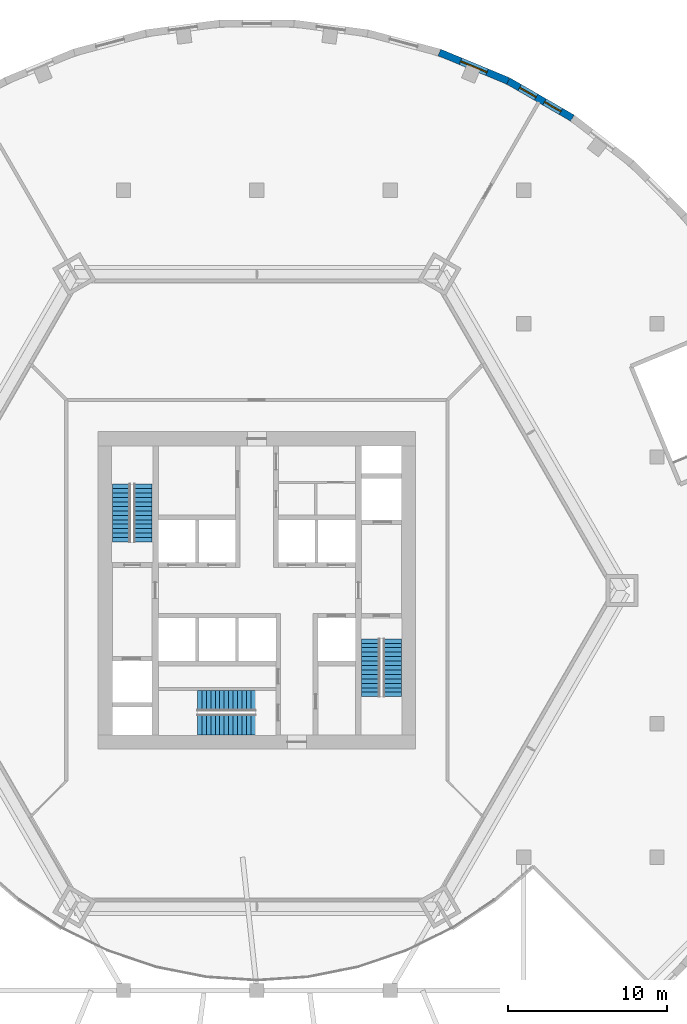
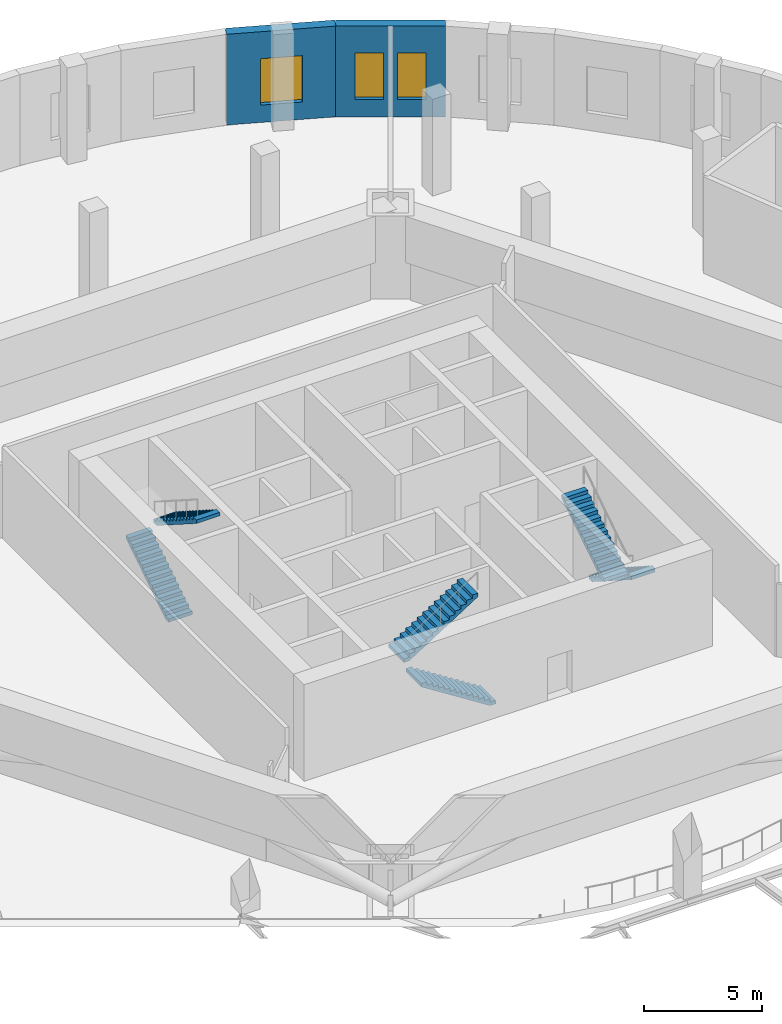
# One storey, part 9 of 10: 6 stair flights, 3 windows, 2 walls, 3 openings, 3 elements without a shape of their own.
"""IFC4 building model written with IfcOpenShell, lengths in metres."""

from ifc_helpers import new_model, si_unit, direction, frame, frame_2d, origin, place, context, subcontext, project, spatial, polyline, rectangle, outline, extrude, material, layer, layer_set, type_object, element, fill, aggregate, save


model = new_model("IFC4")

# Units and contexts
model_context = context("Model", 3, precision=1e-05, world=origin(), true_north=direction((0.0, 1.0)))
body_context = subcontext(model_context, "Body", "Model", "MODEL_VIEW")
ifc_project = project(units=[si_unit("LENGTHUNIT", "METRE"), si_unit("AREAUNIT", "SQUARE_METRE"), si_unit("VOLUMEUNIT", "CUBIC_METRE"), si_unit("PLANEANGLEUNIT", "RADIAN"), si_unit("MASSUNIT", "GRAM", prefix="KILO")], contexts=[model_context])

# Site, building, storey
site_placement = place(None, origin())
site = spatial("IfcSite", under=ifc_project, at=site_placement, CompositionType="ELEMENT")
building_placement = place(site_placement, origin())
building = spatial("IfcBuilding", under=site, at=building_placement, Name="Golbaran Civic Tower", CompositionType="ELEMENT")
storey_placement = place(building_placement, frame((0.0, 0.0, 16.0)))
storey = spatial("IfcBuildingStorey", under=building, at=storey_placement, Name="L03", CompositionType="ELEMENT", Elevation=16.0)

# Wall, openings, windows
ifc_material_1 = material(Name="Terracotta brick", Category="masonry")
ifc_layer = layer(ifc_material_1, 0.449951171875, Name="Terracotta brick")
ifc_layer_set = layer_set([ifc_layer], Name="Terracotta brick")
wall_type = type_object("IfcWallType", Name="TERRACOTTA BRICK FACADE WALL 450", PredefinedType="SOLIDWALL", material=ifc_layer_set)
wall_1_placement = place(storey_placement, frame((19.87548828125, 29.745849609375, 0.0), z_axis=(0.0, 0.0, 1.0), x_axis=(-0.866012687223, 0.500022025083, 0.0)))
wall_1 = element("IfcWall", 1, at=wall_1_placement, inside=storey, type_object=wall_type, Name="Podium wall L03 facet 8", PredefinedType="SOLIDWALL", context=body_context, shape_type="SweptSolid", body=[
    extrude(rectangle(XDim=4.679443359375, YDim=0.449951171875, at=frame_2d((2.33984375, 0.0))), origin(), (0.0, 0.0, 1.0), 4.699951171875),
])
opening_1_placement = place(wall_1_placement, frame((0.840087890625, 0.0, 0.89990234375)))
opening_1 = element("IfcOpeningElement", 2, at=opening_1_placement, cuts=wall_1, Name="Opening L03.W08", PredefinedType="OPENING", context=body_context, shape_type="SweptSolid", body=[
    extrude(rectangle(XDim=1.199951171875, YDim=2.39990234375, at=frame_2d((0.60009765625, 1.199951171875))), frame((0.0, 0.23486328125, 0.0), z_axis=(0.0, -1.0, 0.0), x_axis=(1.0, 0.0, 0.0)), (0.0, 0.0, 1.0), 0.469970703125),
])
opening_2_placement = place(wall_1_placement, frame((2.639892578125, 0.0, 0.89990234375)))
opening_2 = element("IfcOpeningElement", 3, at=opening_2_placement, cuts=wall_1, Name="Opening L03.W09", PredefinedType="OPENING", context=body_context, shape_type="SweptSolid", body=[
    extrude(rectangle(XDim=1.199951171875, YDim=2.39990234375, at=frame_2d((0.60009765625, 1.199951171875))), frame((0.0, 0.23486328125, 0.0), z_axis=(0.0, -1.0, 0.0), x_axis=(1.0, 0.0, 0.0)), (0.0, 0.0, 1.0), 0.469970703125),
])
ifc_material_2 = material(Name="Aluminium frame, clear glass", Category="aluminium")
window_type_1 = type_object("IfcWindowType", Name="PODIUM PAIRED WINDOW 1200x2400", PartitioningType="SINGLE_PANEL", PredefinedType="WINDOW", material=ifc_material_2)
window_1_placement = place(opening_1_placement, origin())
window_1 = element("IfcWindow", 4, at=window_1_placement, inside=storey, type_object=window_type_1, Name="Podium window L03 facet 8a", OverallHeight=2.39990234375, OverallWidth=1.199951171875, PartitioningType="SINGLE_PANEL", PredefinedType="WINDOW", context=body_context, shape_type="SweptSolid", body=[
    extrude(rectangle(XDim=1.199951171875, YDim=2.39990234375, at=frame_2d((0.60009765625, 1.199951171875))), frame((0.0, 0.030029296875, 0.0), z_axis=(0.0, -1.0, 0.0), x_axis=(1.0, 0.0, 0.0)), (0.0, 0.0, 1.0), 0.06005859375),
])
fill(opening_1, window_1)
window_2_placement = place(opening_2_placement, origin())
window_2 = element("IfcWindow", 5, at=window_2_placement, inside=storey, type_object=window_type_1, Name="Podium window L03 facet 8b", OverallHeight=2.39990234375, OverallWidth=1.199951171875, PartitioningType="SINGLE_PANEL", PredefinedType="WINDOW", context=body_context, shape_type="SweptSolid", body=[
    extrude(rectangle(XDim=1.199951171875, YDim=2.39990234375, at=frame_2d((0.60009765625, 1.199951171875))), frame((0.0, 0.030029296875, 0.0), z_axis=(0.0, -1.0, 0.0), x_axis=(1.0, 0.0, 0.0)), (0.0, 0.0, 1.0), 0.06005859375),
])
fill(opening_2, window_2)

# Wall, opening, window
wall_2_placement = place(storey_placement, frame((15.822998046875, 32.085693359375, 0.0), z_axis=(0.0, 0.0, 1.0), x_axis=(-0.923885213032, 0.382669718086, 0.0)))
wall_2 = element("IfcWall", 6, at=wall_2_placement, inside=storey, type_object=wall_type, Name="Podium wall L03 facet 9", PredefinedType="SOLIDWALL", context=body_context, shape_type="SweptSolid", body=[
    extrude(rectangle(XDim=4.6796875, YDim=0.449951171875, at=frame_2d((2.33984375, 0.0))), origin(), (0.0, 0.0, 1.0), 4.699951171875),
])
opening_3_placement = place(wall_2_placement, frame((1.439697265625, 0.0, 0.89990234375)))
opening_3 = element("IfcOpeningElement", 7, at=opening_3_placement, cuts=wall_2, Name="Opening L03.W10", PredefinedType="OPENING", context=body_context, shape_type="SweptSolid", body=[
    extrude(rectangle(XDim=1.800048828125, YDim=2.39990234375, at=frame_2d((0.89990234375, 1.199951171875))), frame((0.0, 0.23486328125, 0.0), z_axis=(0.0, -1.0, 0.0), x_axis=(1.0, 0.0, 0.0)), (0.0, 0.0, 1.0), 0.469970703125),
])
window_type_2 = type_object("IfcWindowType", Name="PODIUM WINDOW 1800x2400", PartitioningType="SINGLE_PANEL", PredefinedType="WINDOW", material=ifc_material_2)
window_3_placement = place(opening_3_placement, origin())
window_3 = element("IfcWindow", 8, at=window_3_placement, inside=storey, type_object=window_type_2, Name="Podium window L03 facet 9", OverallHeight=2.39990234375, OverallWidth=1.800048828125, PartitioningType="SINGLE_PANEL", PredefinedType="WINDOW", context=body_context, shape_type="SweptSolid", body=[
    extrude(rectangle(XDim=1.800048828125, YDim=2.39990234375, at=frame_2d((0.89990234375, 1.199951171875))), frame((0.0, 0.030029296875, 0.0), z_axis=(0.0, -1.0, 0.0), x_axis=(1.0, 0.0, 0.0)), (0.0, 0.0, 1.0), 0.06005859375),
])
fill(opening_3, window_3)

# Stair, stair flights
ifc_material_3 = material(Name="Concrete C35/45", Category="concrete")
stair_type_1 = type_object("IfcStairType", Name="EXIT STAIR 2500 x 7350, 5000 RISE", PredefinedType="HALF_TURN_STAIR", material=ifc_material_3)
stair_1_placement = place(storey_placement, origin())
stair_1 = element("IfcStair", 9, at=stair_1_placement, inside=storey, type_object=stair_type_1, Name="Stair S1 L03", PredefinedType="HALF_TURN_STAIR")
stair_flight_type_1 = type_object("IfcStairFlightType", Name="STAIR FLIGHT 1150 WIDE", PredefinedType="STRAIGHT", material=ifc_material_3)
stair_flight_1_placement = place(storey_placement, frame((-8.52490234375, 3.050048828125, 0.0), z_axis=(0.0, 0.0, 1.0), x_axis=(0.0, 1.0, 0.0)))
stair_flight_1 = element("IfcStairFlight", 10, at=stair_flight_1_placement, type_object=stair_flight_type_1, Name="ST25074-50 flight 1", NumberOfRisers=14, NumberOfTreads=13, PredefinedType="STRAIGHT", RiserHeight=0.178571429, TreadLength=0.28, context=body_context, shape_type="SweptSolid", body=[
    extrude(outline(polyline([(0.0, 0.0), (0.0, 0.178466796875), (0.280029296875, 0.178466796875), (0.280029296875, 0.357177734375), (0.56005859375, 0.357177734375), (0.56005859375, 0.53564453125), (0.840087890625, 0.53564453125), (0.840087890625, 0.71435546875), (1.1201171875, 0.71435546875), (1.1201171875, 0.892822265625), (1.39990234375, 0.892822265625), (1.39990234375, 1.071533203125), (1.679931640625, 1.071533203125), (1.679931640625, 1.25), (1.9599609375, 1.25), (1.9599609375, 1.428466796875), (2.239990234375, 1.428466796875), (2.239990234375, 1.607177734375), (2.52001953125, 1.607177734375), (2.52001953125, 1.78564453125), (2.800048828125, 1.78564453125), (2.800048828125, 1.96435546875), (3.080078125, 1.96435546875), (3.080078125, 2.142822265625), (3.360107421875, 2.142822265625), (3.360107421875, 2.321533203125), (3.639892578125, 2.321533203125), (3.639892578125, 2.5), (3.639892578125, 2.1435546875), (0.27880859375, 0.0), (0.0, 0.0)])), frame((0.0, 0.574951171875, 0.0), z_axis=(0.0, -1.0, 0.0), x_axis=(1.0, 0.0, 0.0)), (0.0, 0.0, 1.0), 1.14990234375),
])
stair_flight_2_placement = place(storey_placement, frame((-7.175048828125, 6.68994140625, 2.5), z_axis=(0.0, 0.0, 1.0), x_axis=(0.0, -1.0, 0.0)))
stair_flight_2 = element("IfcStairFlight", 11, at=stair_flight_2_placement, type_object=stair_flight_type_1, Name="ST25074-50 flight 2", NumberOfRisers=14, NumberOfTreads=13, PredefinedType="STRAIGHT", RiserHeight=0.178571429, TreadLength=0.28, context=body_context, shape_type="SweptSolid", body=[
    extrude(outline(polyline([(0.0, 0.0), (0.0, 0.178466796875), (0.280029296875, 0.178466796875), (0.280029296875, 0.357177734375), (0.56005859375, 0.357177734375), (0.56005859375, 0.53564453125), (0.840087890625, 0.53564453125), (0.840087890625, 0.71435546875), (1.1201171875, 0.71435546875), (1.1201171875, 0.892822265625), (1.39990234375, 0.892822265625), (1.39990234375, 1.071533203125), (1.679931640625, 1.071533203125), (1.679931640625, 1.25), (1.9599609375, 1.25), (1.9599609375, 1.428466796875), (2.239990234375, 1.428466796875), (2.239990234375, 1.607177734375), (2.52001953125, 1.607177734375), (2.52001953125, 1.78564453125), (2.800048828125, 1.78564453125), (2.800048828125, 1.96435546875), (3.080078125, 1.96435546875), (3.080078125, 2.142822265625), (3.360107421875, 2.142822265625), (3.360107421875, 2.321533203125), (3.639892578125, 2.321533203125), (3.639892578125, 2.5), (3.639892578125, 2.1435546875), (0.27880859375, 0.0), (0.0, 0.0)])), frame((0.0, 0.574951171875, 0.0), z_axis=(0.0, -1.0, 0.0), x_axis=(1.0, 0.0, 0.0)), (0.0, 0.0, 1.0), 1.14990234375),
])
aggregate(stair_1, [stair_flight_1, stair_flight_2])

stair_2_placement = place(storey_placement, origin())
stair_2 = element("IfcStair", 12, at=stair_2_placement, inside=storey, type_object=stair_type_1, Name="Stair S2 L03", PredefinedType="HALF_TURN_STAIR")
stair_flight_3_placement = place(storey_placement, frame((8.52490234375, -3.050048828125, 0.0), z_axis=(0.0, 0.0, 1.0), x_axis=(0.0, -1.0, 0.0)))
stair_flight_3 = element("IfcStairFlight", 13, at=stair_flight_3_placement, type_object=stair_flight_type_1, Name="ST25074-50 flight 1", NumberOfRisers=14, NumberOfTreads=13, PredefinedType="STRAIGHT", RiserHeight=0.178571429, TreadLength=0.28, context=body_context, shape_type="SweptSolid", body=[
    extrude(outline(polyline([(0.0, 0.0), (0.0, 0.178466796875), (0.280029296875, 0.178466796875), (0.280029296875, 0.357177734375), (0.56005859375, 0.357177734375), (0.56005859375, 0.53564453125), (0.840087890625, 0.53564453125), (0.840087890625, 0.71435546875), (1.1201171875, 0.71435546875), (1.1201171875, 0.892822265625), (1.39990234375, 0.892822265625), (1.39990234375, 1.071533203125), (1.679931640625, 1.071533203125), (1.679931640625, 1.25), (1.9599609375, 1.25), (1.9599609375, 1.428466796875), (2.239990234375, 1.428466796875), (2.239990234375, 1.607177734375), (2.52001953125, 1.607177734375), (2.52001953125, 1.78564453125), (2.800048828125, 1.78564453125), (2.800048828125, 1.96435546875), (3.080078125, 1.96435546875), (3.080078125, 2.142822265625), (3.360107421875, 2.142822265625), (3.360107421875, 2.321533203125), (3.639892578125, 2.321533203125), (3.639892578125, 2.5), (3.639892578125, 2.1435546875), (0.27880859375, 0.0), (0.0, 0.0)])), frame((0.0, 0.574951171875, 0.0), z_axis=(0.0, -1.0, 0.0), x_axis=(1.0, 0.0, 0.0)), (0.0, 0.0, 1.0), 1.14990234375),
])
stair_flight_4_placement = place(storey_placement, frame((7.175048828125, -6.68994140625, 2.5), z_axis=(0.0, 0.0, 1.0), x_axis=(0.0, 1.0, 0.0)))
stair_flight_4 = element("IfcStairFlight", 14, at=stair_flight_4_placement, type_object=stair_flight_type_1, Name="ST25074-50 flight 2", NumberOfRisers=14, NumberOfTreads=13, PredefinedType="STRAIGHT", RiserHeight=0.178571429, TreadLength=0.28, context=body_context, shape_type="SweptSolid", body=[
    extrude(outline(polyline([(0.0, 0.0), (0.0, 0.178466796875), (0.280029296875, 0.178466796875), (0.280029296875, 0.357177734375), (0.56005859375, 0.357177734375), (0.56005859375, 0.53564453125), (0.840087890625, 0.53564453125), (0.840087890625, 0.71435546875), (1.1201171875, 0.71435546875), (1.1201171875, 0.892822265625), (1.39990234375, 0.892822265625), (1.39990234375, 1.071533203125), (1.679931640625, 1.071533203125), (1.679931640625, 1.25), (1.9599609375, 1.25), (1.9599609375, 1.428466796875), (2.239990234375, 1.428466796875), (2.239990234375, 1.607177734375), (2.52001953125, 1.607177734375), (2.52001953125, 1.78564453125), (2.800048828125, 1.78564453125), (2.800048828125, 1.96435546875), (3.080078125, 1.96435546875), (3.080078125, 2.142822265625), (3.360107421875, 2.142822265625), (3.360107421875, 2.321533203125), (3.639892578125, 2.321533203125), (3.639892578125, 2.5), (3.639892578125, 2.1435546875), (0.27880859375, 0.0), (0.0, 0.0)])), frame((0.0, 0.574951171875, 0.0), z_axis=(0.0, -1.0, 0.0), x_axis=(1.0, 0.0, 0.0)), (0.0, 0.0, 1.0), 1.14990234375),
])
aggregate(stair_2, [stair_flight_3, stair_flight_4])

stair_type_2 = type_object("IfcStairType", Name="EXIT STAIR 2800 x 7400, 5000 RISE", PredefinedType="HALF_TURN_STAIR", material=ifc_material_3)
stair_3_placement = place(storey_placement, origin())
stair_3 = element("IfcStair", 15, at=stair_3_placement, inside=storey, type_object=stair_type_2, Name="Stair S3 L03", PredefinedType="HALF_TURN_STAIR")
stair_flight_type_2 = type_object("IfcStairFlightType", Name="STAIR FLIGHT 1300 WIDE", PredefinedType="STRAIGHT", material=ifc_material_3)
stair_flight_5_placement = place(storey_placement, frame((-0.10009765625, -8.449951171875, 0.0), z_axis=(0.0, 0.0, 1.0), x_axis=(-1.0, 0.0, 0.0)))
stair_flight_5 = element("IfcStairFlight", 16, at=stair_flight_5_placement, type_object=stair_flight_type_2, Name="ST28074-50 flight 1", NumberOfRisers=14, NumberOfTreads=13, PredefinedType="STRAIGHT", RiserHeight=0.178571429, TreadLength=0.28, context=body_context, shape_type="SweptSolid", body=[
    extrude(outline(polyline([(0.0, 0.0), (0.0, 0.178466796875), (0.280029296875, 0.178466796875), (0.280029296875, 0.357177734375), (0.56005859375, 0.357177734375), (0.56005859375, 0.53564453125), (0.840087890625, 0.53564453125), (0.840087890625, 0.71435546875), (1.1201171875, 0.71435546875), (1.1201171875, 0.892822265625), (1.39990234375, 0.892822265625), (1.39990234375, 1.071533203125), (1.679931640625, 1.071533203125), (1.679931640625, 1.25), (1.9599609375, 1.25), (1.9599609375, 1.428466796875), (2.239990234375, 1.428466796875), (2.239990234375, 1.607177734375), (2.52001953125, 1.607177734375), (2.52001953125, 1.78564453125), (2.800048828125, 1.78564453125), (2.800048828125, 1.96435546875), (3.080078125, 1.96435546875), (3.080078125, 2.142822265625), (3.360107421875, 2.142822265625), (3.360107421875, 2.321533203125), (3.639892578125, 2.321533203125), (3.639892578125, 2.5), (3.639892578125, 2.1435546875), (0.27880859375, 0.0), (0.0, 0.0)])), frame((0.0, 0.64990234375, 0.0), z_axis=(0.0, -1.0, 0.0), x_axis=(1.0, 0.0, 0.0)), (0.0, 0.0, 1.0), 1.300048828125),
])
stair_flight_6_placement = place(storey_placement, frame((-3.739990234375, -6.949951171875, 2.5), z_axis=(0.0, 0.0, 1.0), x_axis=(1.0, 0.0, 0.0)))
stair_flight_6 = element("IfcStairFlight", 17, at=stair_flight_6_placement, type_object=stair_flight_type_2, Name="ST28074-50 flight 2", NumberOfRisers=14, NumberOfTreads=13, PredefinedType="STRAIGHT", RiserHeight=0.178571429, TreadLength=0.28, context=body_context, shape_type="SweptSolid", body=[
    extrude(outline(polyline([(0.0, 0.0), (0.0, 0.178466796875), (0.280029296875, 0.178466796875), (0.280029296875, 0.357177734375), (0.56005859375, 0.357177734375), (0.56005859375, 0.53564453125), (0.840087890625, 0.53564453125), (0.840087890625, 0.71435546875), (1.1201171875, 0.71435546875), (1.1201171875, 0.892822265625), (1.39990234375, 0.892822265625), (1.39990234375, 1.071533203125), (1.679931640625, 1.071533203125), (1.679931640625, 1.25), (1.9599609375, 1.25), (1.9599609375, 1.428466796875), (2.239990234375, 1.428466796875), (2.239990234375, 1.607177734375), (2.52001953125, 1.607177734375), (2.52001953125, 1.78564453125), (2.800048828125, 1.78564453125), (2.800048828125, 1.96435546875), (3.080078125, 1.96435546875), (3.080078125, 2.142822265625), (3.360107421875, 2.142822265625), (3.360107421875, 2.321533203125), (3.639892578125, 2.321533203125), (3.639892578125, 2.5), (3.639892578125, 2.1435546875), (0.27880859375, 0.0), (0.0, 0.0)])), frame((0.0, 0.64990234375, 0.0), z_axis=(0.0, -1.0, 0.0), x_axis=(1.0, 0.0, 0.0)), (0.0, 0.0, 1.0), 1.300048828125),
])
aggregate(stair_3, [stair_flight_5, stair_flight_6])

save(model, "model.ifc")
